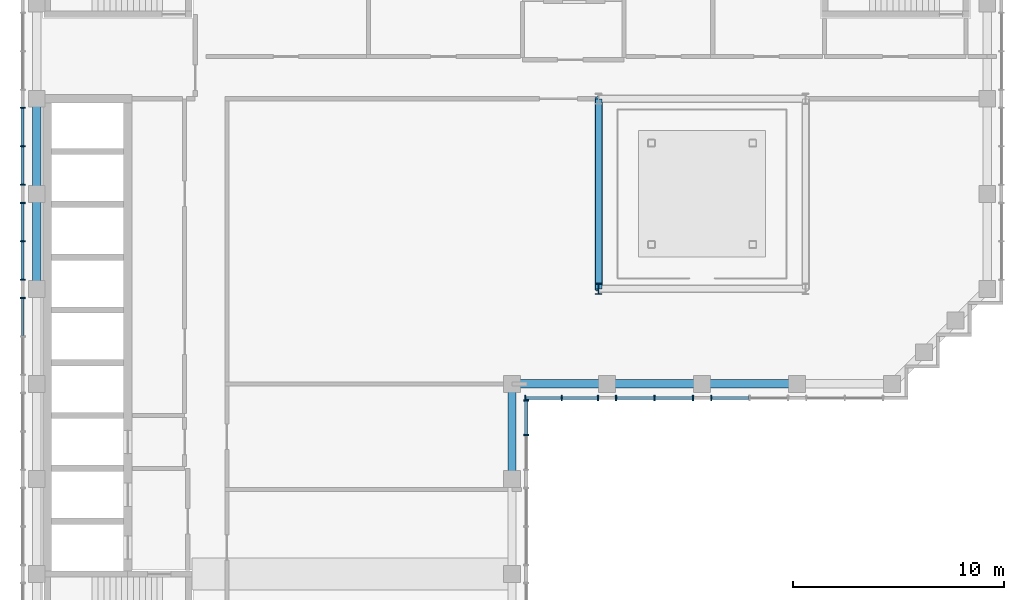
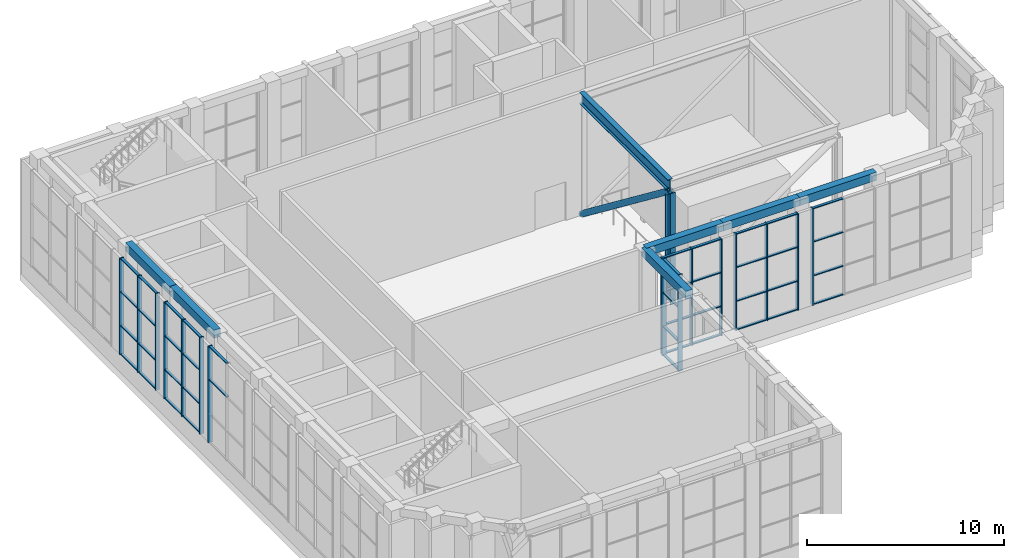
# One storey, part 4 of 17: 61 members, 6 beams, 7 elements without a shape of their own.
"""IFC4 building model written with IfcOpenShell, lengths in metres."""

from ifc_helpers import new_model, si_unit, direction, frame, origin, origin_2d, place, context, subcontext, project, spatial, rectangle, hollow_circle, i_section, extrude, material, material_profile, profile_set, type_object, element, aggregate, save


model = new_model("IFC4")

# Units and contexts
model_context = context("Model", 3, precision=1e-05, world=origin(), true_north=direction((0.0, 1.0)))
body_context = subcontext(model_context, "Body", "Model", "MODEL_VIEW")
ifc_project = project(units=[si_unit("LENGTHUNIT", "METRE"), si_unit("AREAUNIT", "SQUARE_METRE"), si_unit("VOLUMEUNIT", "CUBIC_METRE"), si_unit("PLANEANGLEUNIT", "RADIAN"), si_unit("MASSUNIT", "GRAM", prefix="KILO")], contexts=[model_context])

# Site, building, storey
site_placement = place(None, origin())
site = spatial("IfcSite", under=ifc_project, at=site_placement, CompositionType="ELEMENT")
building_placement = place(site_placement, origin())
building = spatial("IfcBuilding", under=site, at=building_placement, Name="Firuza Court", CompositionType="ELEMENT")
storey_placement = place(building_placement, frame((0.0, 0.0, 258.199951171875)))
storey = spatial("IfcBuildingStorey", under=building, at=storey_placement, Name="L67", CompositionType="ELEMENT", Elevation=258.199951171875)

# Members
ifc_material_1 = material(Name="Steel S355", Category="steel")
ifc_material_profile_1 = material_profile(ifc_material_1, i_section(OverallWidth=0.300048828125, OverallDepth=0.699951171875, WebThickness=0.01708984375, FlangeThickness=0.031982421875, FilletRadius=0.027099609375, at=origin_2d()), Name="HE 700 B")
ifc_profile_set_1 = profile_set([ifc_material_profile_1], Name="Steel S355")
member_type_1 = type_object("IfcMemberType", Name="Damper frame beam HE 700 B S355", PredefinedType="MEMBER", material=ifc_profile_set_1)
member_1_placement = place(storey_placement, frame((26.60009765625, 40.5, 7.25), z_axis=(0.0, 1.0, 0.0), x_axis=(-1.0, 0.0, 0.0)))
element("IfcMember", 1, at=member_1_placement, inside=storey, type_object=member_type_1, Name="Damper frame beam TB1 L67", PredefinedType="MEMBER", context=body_context, shape_type="SweptSolid", body=[
    extrude(i_section(OverallWidth=0.300048828125, OverallDepth=0.699951171875, WebThickness=0.01708984375, FlangeThickness=0.031982421875, FilletRadius=0.027099609375, at=origin_2d()), origin(), (0.0, 0.0, 1.0), 9.0),
])
ifc_material_2 = material(Name="Steel S355", Category="steel")
ifc_material_profile_2 = material_profile(ifc_material_2, hollow_circle(Radius=0.177734375, WallThickness=0.01611328125, at=origin_2d()), Name="CHS 355.6x16")
ifc_profile_set_2 = profile_set([ifc_material_profile_2], Name="Steel S355")
member_type_2 = type_object("IfcMemberType", Name="Damper frame brace CHS 355.6x16 S355", PredefinedType="BRACE", material=ifc_profile_set_2)
member_2_placement = place(storey_placement, frame((26.60009765625, 49.5, 0.0), z_axis=(0.0, -0.79360012437, 0.608439678686), x_axis=(1.0, 0.0, 0.0)))
element("IfcMember", 2, at=member_2_placement, inside=storey, type_object=member_type_2, Name="Damper frame brace TV1 L67", PredefinedType="BRACE", context=body_context, shape_type="SweptSolid", body=[
    extrude(hollow_circle(Radius=0.177734375, WallThickness=0.01611328125, at=origin_2d()), origin(), (0.0, 0.0, 1.0), 11.3408203125),
])
ifc_material_3 = material(Name="Steel S355", Category="steel")
ifc_material_profile_3 = material_profile(ifc_material_3, i_section(OverallWidth=0.305908203125, OverallDepth=0.52392578125, WebThickness=0.02099609375, FlangeThickness=0.0400390625, FilletRadius=0.027099609375, at=origin_2d()), Name="HE 500 M")
ifc_profile_set_3 = profile_set([ifc_material_profile_3], Name="Steel S355")
member_type_3 = type_object("IfcMemberType", Name="Damper frame column HE 500 M S355", PredefinedType="POST", material=ifc_profile_set_3)
member_3_placement = place(storey_placement, frame((26.60009765625, 40.5, 0.0), z_axis=(0.0, 0.0, 1.0), x_axis=(1.0, 0.0, 0.0)))
element("IfcMember", 3, at=member_3_placement, inside=storey, type_object=member_type_3, Name="Damper frame column TF1 L67", PredefinedType="POST", context=body_context, shape_type="SweptSolid", body=[
    extrude(i_section(OverallWidth=0.305908203125, OverallDepth=0.52392578125, WebThickness=0.02099609375, FlangeThickness=0.0400390625, FilletRadius=0.027099609375, at=origin_2d()), origin(), (0.0, 0.0, 1.0), 6.900146484375),
])

# Curtain wall, members
ifc_material_4 = material(Name="Aluminium curtain wall, triple clear glazing", Category="aluminium")
curtain_wall_type = type_object("IfcCurtainWallType", Name="Damper hall structural glazing CW4", PredefinedType="NOTDEFINED", material=ifc_material_4)
curtain_wall_1_placement = place(storey_placement, origin())
curtain_wall_1 = element("IfcCurtainWall", 4, at=curtain_wall_1_placement, inside=storey, type_object=curtain_wall_type, Name="Damper hall structural glazing CW4 L67", PredefinedType="NOTDEFINED")
ifc_material_5 = material(Name="Aluminium EN AW-6060 T66", Category="aluminium")
ifc_material_profile_4 = material_profile(ifc_material_5, rectangle(XDim=0.25, YDim=0.06005859375, at=origin_2d()), Name="Mullion 250 x 60 CW4")
ifc_profile_set_4 = profile_set([ifc_material_profile_4], Name="Aluminium EN AW-6060 T66")
member_type_4 = type_object("IfcMemberType", Name="Mullion 250 x 60 CW4", PredefinedType="MULLION", material=ifc_profile_set_4)
member_4_placement = place(storey_placement, frame((23.169921875, 33.574951171875, 1.10009765625), z_axis=(0.0, 0.0, 1.0), x_axis=(-1.0, 0.0, 0.0)))
member_4 = element("IfcMember", 5, at=member_4_placement, type_object=member_type_4, Name="CW4 mullion 2", PredefinedType="MULLION", context=body_context, shape_type="SweptSolid", body=[
    extrude(rectangle(XDim=0.25, YDim=0.06005859375, at=origin_2d()), origin(), (0.0, 0.0, 1.0), 6.0),
])
member_5_placement = place(storey_placement, frame((23.169921875, 35.219970703125, 1.10009765625), z_axis=(0.0, 0.0, 1.0), x_axis=(-1.0, 0.0, 0.0)))
member_5 = element("IfcMember", 6, at=member_5_placement, type_object=member_type_4, Name="CW4 mullion 3", PredefinedType="MULLION", context=body_context, shape_type="SweptSolid", body=[
    extrude(rectangle(XDim=0.25, YDim=0.06005859375, at=origin_2d()), origin(), (0.0, 0.0, 1.0), 6.0),
])

curtain_wall_2_placement = place(storey_placement, origin())
curtain_wall_2 = element("IfcCurtainWall", 7, at=curtain_wall_2_placement, inside=storey, type_object=curtain_wall_type, Name="Damper hall structural glazing CW4 L67", PredefinedType="NOTDEFINED")
member_6_placement = place(storey_placement, frame((23.1298828125, 35.330078125, 1.10009765625), z_axis=(0.0, 0.0, 1.0), x_axis=(0.0, 1.0, 0.0)))
member_6 = element("IfcMember", 8, at=member_6_placement, type_object=member_type_4, Name="CW4 mullion 1", PredefinedType="MULLION", context=body_context, shape_type="SweptSolid", body=[
    extrude(rectangle(XDim=0.25, YDim=0.06005859375, at=origin_2d()), origin(), (0.0, 0.0, 1.0), 6.0),
])
member_7_placement = place(storey_placement, frame((24.85009765625, 35.330078125, 1.10009765625), z_axis=(0.0, 0.0, 1.0), x_axis=(0.0, 1.0, 0.0)))
member_7 = element("IfcMember", 9, at=member_7_placement, type_object=member_type_4, Name="CW4 mullion 2", PredefinedType="MULLION", context=body_context, shape_type="SweptSolid", body=[
    extrude(rectangle(XDim=0.25, YDim=0.06005859375, at=origin_2d()), origin(), (0.0, 0.0, 1.0), 6.0),
])
member_8_placement = place(storey_placement, frame((26.570068359375, 35.330078125, 1.10009765625), z_axis=(0.0, 0.0, 1.0), x_axis=(0.0, 1.0, 0.0)))
member_8 = element("IfcMember", 10, at=member_8_placement, type_object=member_type_4, Name="CW4 mullion 3", PredefinedType="MULLION", context=body_context, shape_type="SweptSolid", body=[
    extrude(rectangle(XDim=0.25, YDim=0.06005859375, at=origin_2d()), origin(), (0.0, 0.0, 1.0), 6.0),
])

curtain_wall_3_placement = place(storey_placement, origin())
curtain_wall_3 = element("IfcCurtainWall", 11, at=curtain_wall_3_placement, inside=storey, type_object=curtain_wall_type, Name="Damper hall structural glazing CW4 L67", PredefinedType="NOTDEFINED")
member_9_placement = place(storey_placement, frame((27.429931640625, 35.330078125, 1.10009765625), z_axis=(0.0, 0.0, 1.0), x_axis=(0.0, 1.0, 0.0)))
member_9 = element("IfcMember", 12, at=member_9_placement, type_object=member_type_4, Name="CW4 mullion 1", PredefinedType="MULLION", context=body_context, shape_type="SweptSolid", body=[
    extrude(rectangle(XDim=0.25, YDim=0.06005859375, at=origin_2d()), origin(), (0.0, 0.0, 1.0), 6.0),
])
member_10_placement = place(storey_placement, frame((29.25, 35.330078125, 1.10009765625), z_axis=(0.0, 0.0, 1.0), x_axis=(0.0, 1.0, 0.0)))
member_10 = element("IfcMember", 13, at=member_10_placement, type_object=member_type_4, Name="CW4 mullion 2", PredefinedType="MULLION", context=body_context, shape_type="SweptSolid", body=[
    extrude(rectangle(XDim=0.25, YDim=0.06005859375, at=origin_2d()), origin(), (0.0, 0.0, 1.0), 6.0),
])
member_11_placement = place(storey_placement, frame((31.070068359375, 35.330078125, 1.10009765625), z_axis=(0.0, 0.0, 1.0), x_axis=(0.0, 1.0, 0.0)))
member_11 = element("IfcMember", 14, at=member_11_placement, type_object=member_type_4, Name="CW4 mullion 3", PredefinedType="MULLION", context=body_context, shape_type="SweptSolid", body=[
    extrude(rectangle(XDim=0.25, YDim=0.06005859375, at=origin_2d()), origin(), (0.0, 0.0, 1.0), 6.0),
])

# Curtain wall, member
curtain_wall_4_placement = place(storey_placement, origin())
curtain_wall_4 = element("IfcCurtainWall", 15, at=curtain_wall_4_placement, inside=storey, type_object=curtain_wall_type, Name="Damper hall structural glazing CW4 L67", PredefinedType="NOTDEFINED")
member_12_placement = place(storey_placement, frame((31.929931640625, 35.330078125, 1.10009765625), z_axis=(0.0, 0.0, 1.0), x_axis=(0.0, 1.0, 0.0)))
member_12 = element("IfcMember", 16, at=member_12_placement, type_object=member_type_4, Name="CW4 mullion 1", PredefinedType="MULLION", context=body_context, shape_type="SweptSolid", body=[
    extrude(rectangle(XDim=0.25, YDim=0.06005859375, at=origin_2d()), origin(), (0.0, 0.0, 1.0), 6.0),
])

# Curtain wall, members
curtain_wall_5_placement = place(storey_placement, origin())
curtain_wall_5 = element("IfcCurtainWall", 17, at=curtain_wall_5_placement, inside=storey, type_object=curtain_wall_type, Name="Damper hall structural glazing CW4 L67", PredefinedType="NOTDEFINED")
member_13_placement = place(storey_placement, frame((-0.669921875, 49.070068359375, 1.10009765625), z_axis=(0.0, 0.0, 1.0), x_axis=(1.0, 0.0, 0.0)))
member_13 = element("IfcMember", 18, at=member_13_placement, type_object=member_type_4, Name="CW4 mullion 1", PredefinedType="MULLION", context=body_context, shape_type="SweptSolid", body=[
    extrude(rectangle(XDim=0.25, YDim=0.06005859375, at=origin_2d()), origin(), (0.0, 0.0, 1.0), 6.0),
])
member_14_placement = place(storey_placement, frame((-0.669921875, 47.25, 1.10009765625), z_axis=(0.0, 0.0, 1.0), x_axis=(1.0, 0.0, 0.0)))
member_14 = element("IfcMember", 19, at=member_14_placement, type_object=member_type_4, Name="CW4 mullion 2", PredefinedType="MULLION", context=body_context, shape_type="SweptSolid", body=[
    extrude(rectangle(XDim=0.25, YDim=0.06005859375, at=origin_2d()), origin(), (0.0, 0.0, 1.0), 6.0),
])
member_15_placement = place(storey_placement, frame((-0.669921875, 45.429931640625, 1.10009765625), z_axis=(0.0, 0.0, 1.0), x_axis=(1.0, 0.0, 0.0)))
member_15 = element("IfcMember", 20, at=member_15_placement, type_object=member_type_4, Name="CW4 mullion 3", PredefinedType="MULLION", context=body_context, shape_type="SweptSolid", body=[
    extrude(rectangle(XDim=0.25, YDim=0.06005859375, at=origin_2d()), origin(), (0.0, 0.0, 1.0), 6.0),
])

curtain_wall_6_placement = place(storey_placement, origin())
curtain_wall_6 = element("IfcCurtainWall", 21, at=curtain_wall_6_placement, inside=storey, type_object=curtain_wall_type, Name="Damper hall structural glazing CW4 L67", PredefinedType="NOTDEFINED")
member_16_placement = place(storey_placement, frame((-0.669921875, 44.570068359375, 1.10009765625), z_axis=(0.0, 0.0, 1.0), x_axis=(1.0, 0.0, 0.0)))
member_16 = element("IfcMember", 22, at=member_16_placement, type_object=member_type_4, Name="CW4 mullion 1", PredefinedType="MULLION", context=body_context, shape_type="SweptSolid", body=[
    extrude(rectangle(XDim=0.25, YDim=0.06005859375, at=origin_2d()), origin(), (0.0, 0.0, 1.0), 6.0),
])
member_17_placement = place(storey_placement, frame((-0.669921875, 42.75, 1.10009765625), z_axis=(0.0, 0.0, 1.0), x_axis=(1.0, 0.0, 0.0)))
member_17 = element("IfcMember", 23, at=member_17_placement, type_object=member_type_4, Name="CW4 mullion 2", PredefinedType="MULLION", context=body_context, shape_type="SweptSolid", body=[
    extrude(rectangle(XDim=0.25, YDim=0.06005859375, at=origin_2d()), origin(), (0.0, 0.0, 1.0), 6.0),
])
member_18_placement = place(storey_placement, frame((-0.669921875, 40.929931640625, 1.10009765625), z_axis=(0.0, 0.0, 1.0), x_axis=(1.0, 0.0, 0.0)))
member_18 = element("IfcMember", 24, at=member_18_placement, type_object=member_type_4, Name="CW4 mullion 3", PredefinedType="MULLION", context=body_context, shape_type="SweptSolid", body=[
    extrude(rectangle(XDim=0.25, YDim=0.06005859375, at=origin_2d()), origin(), (0.0, 0.0, 1.0), 6.0),
])

# Curtain wall, member
curtain_wall_7_placement = place(storey_placement, origin())
curtain_wall_7 = element("IfcCurtainWall", 25, at=curtain_wall_7_placement, inside=storey, type_object=curtain_wall_type, Name="Damper hall structural glazing CW4 L67", PredefinedType="NOTDEFINED")
member_19_placement = place(storey_placement, frame((-0.669921875, 40.070068359375, 1.10009765625), z_axis=(0.0, 0.0, 1.0), x_axis=(1.0, 0.0, 0.0)))
member_19 = element("IfcMember", 26, at=member_19_placement, type_object=member_type_4, Name="CW4 mullion 1", PredefinedType="MULLION", context=body_context, shape_type="SweptSolid", body=[
    extrude(rectangle(XDim=0.25, YDim=0.06005859375, at=origin_2d()), origin(), (0.0, 0.0, 1.0), 6.0),
])

# Beams
ifc_material_6 = material(Name="Concrete C40/50", Category="concrete")
ifc_material_profile_5 = material_profile(ifc_material_6, rectangle(XDim=0.39990234375, YDim=0.5, at=origin_2d()), Name="RC 400x500")
ifc_profile_set_5 = profile_set([ifc_material_profile_5], Name="Concrete C40/50")
beam_type = type_object("IfcBeamType", Name="Spandrel beam RC 400x500 C40/50", PredefinedType="BEAM", material=ifc_profile_set_5)
for number, where, z_axis, x_axis, name in (
    (27, (0.0, 45.0, 7.35009765625), (0.0, -1.0, 0.0), (1.0, 0.0, 0.0), "Spandrel beam SP18 level L68"),
    (28, (0.0, 49.5, 7.35009765625), (0.0, -1.0, 0.0), (1.0, 0.0, 0.0), "Spandrel beam SP18 level L68"),
    (29, (22.5, 31.5, 7.35009765625), (0.0, 1.0, 0.0), (-1.0, 0.0, 0.0), "Spandrel beam SP18 level L68"),
    (30, (22.5, 36.0, 7.35009765625), (1.0, 0.0, 0.0), (0.0, 1.0, 0.0), "Spandrel beam SP18 level L68"),
    (31, (27.0, 36.0, 7.35009765625), (1.0, 0.0, 0.0), (0.0, 1.0, 0.0), "Spandrel beam SP18 level L68"),
    (32, (31.5, 36.0, 7.35009765625), (1.0, 0.0, 0.0), (0.0, 1.0, 0.0), "Spandrel beam SP18 level L68"),
):
    element("IfcBeam", number, at=place(storey_placement, frame(where, z_axis=z_axis, x_axis=x_axis)), inside=storey, type_object=beam_type, Name=name, PredefinedType="BEAM", context=body_context, shape_type="SweptSolid", body=[
        extrude(rectangle(XDim=0.39990234375, YDim=0.5, at=origin_2d()), origin(), (0.0, 0.0, 1.0), 4.5),
    ])

# Member
ifc_material_7 = material(Name="Aluminium EN AW-6060 T66", Category="aluminium")
ifc_material_profile_6 = material_profile(ifc_material_7, rectangle(XDim=0.14990234375, YDim=0.06005859375, at=origin_2d()), Name="Transom 150 x 60 CW4")
ifc_profile_set_6 = profile_set([ifc_material_profile_6], Name="Aluminium EN AW-6060 T66")
member_type_5 = type_object("IfcMemberType", Name="Transom 150 x 60 CW4", PredefinedType="USERDEFINED", material=ifc_profile_set_6)
member_20_placement = place(storey_placement, frame((23.169921875, 33.60498046875, 1.130126953125), z_axis=(0.0, 1.0, 0.0), x_axis=(-1.0, 0.0, 0.0)))
member_20 = element("IfcMember", 33, at=member_20_placement, type_object=member_type_5, Name="CW4 transom 2.1", ObjectType="TRANSOM", PredefinedType="USERDEFINED", context=body_context, shape_type="SweptSolid", body=[
    extrude(rectangle(XDim=0.14990234375, YDim=0.06005859375, at=origin_2d()), origin(), (0.0, 0.0, 1.0), 1.5849609375),
])

member_21_placement = place(storey_placement, frame((23.169921875, 33.60498046875, 2.900146484375), z_axis=(0.0, 1.0, 0.0), x_axis=(-1.0, 0.0, 0.0)))
member_21 = element("IfcMember", 34, at=member_21_placement, type_object=member_type_5, Name="CW4 transom 2.2", ObjectType="TRANSOM", PredefinedType="USERDEFINED", context=body_context, shape_type="SweptSolid", body=[
    extrude(rectangle(XDim=0.14990234375, YDim=0.06005859375, at=origin_2d()), origin(), (0.0, 0.0, 1.0), 1.5849609375),
])

member_22_placement = place(storey_placement, frame((23.169921875, 33.60498046875, 5.0), z_axis=(0.0, 1.0, 0.0), x_axis=(-1.0, 0.0, 0.0)))
member_22 = element("IfcMember", 35, at=member_22_placement, type_object=member_type_5, Name="CW4 transom 2.3", ObjectType="TRANSOM", PredefinedType="USERDEFINED", context=body_context, shape_type="SweptSolid", body=[
    extrude(rectangle(XDim=0.14990234375, YDim=0.06005859375, at=origin_2d()), origin(), (0.0, 0.0, 1.0), 1.5849609375),
])

member_23_placement = place(storey_placement, frame((23.169921875, 33.60498046875, 7.070068359375), z_axis=(0.0, 1.0, 0.0), x_axis=(-1.0, 0.0, 0.0)))
member_23 = element("IfcMember", 36, at=member_23_placement, type_object=member_type_5, Name="CW4 transom 2.4", ObjectType="TRANSOM", PredefinedType="USERDEFINED", context=body_context, shape_type="SweptSolid", body=[
    extrude(rectangle(XDim=0.14990234375, YDim=0.06005859375, at=origin_2d()), origin(), (0.0, 0.0, 1.0), 1.5849609375),
])

aggregate(curtain_wall_1, [member_4, member_5, member_20, member_21, member_22, member_23])

member_24_placement = place(storey_placement, frame((23.159912109375, 35.330078125, 1.130126953125), z_axis=(1.0, 0.0, 0.0), x_axis=(0.0, 1.0, 0.0)))
member_24 = element("IfcMember", 37, at=member_24_placement, type_object=member_type_5, Name="CW4 transom 1.1", ObjectType="TRANSOM", PredefinedType="USERDEFINED", context=body_context, shape_type="SweptSolid", body=[
    extrude(rectangle(XDim=0.14990234375, YDim=0.06005859375, at=origin_2d()), origin(), (0.0, 0.0, 1.0), 1.66015625),
])

member_25_placement = place(storey_placement, frame((23.159912109375, 35.330078125, 2.900146484375), z_axis=(1.0, 0.0, 0.0), x_axis=(0.0, 1.0, 0.0)))
member_25 = element("IfcMember", 38, at=member_25_placement, type_object=member_type_5, Name="CW4 transom 1.2", ObjectType="TRANSOM", PredefinedType="USERDEFINED", context=body_context, shape_type="SweptSolid", body=[
    extrude(rectangle(XDim=0.14990234375, YDim=0.06005859375, at=origin_2d()), origin(), (0.0, 0.0, 1.0), 1.66015625),
])

member_26_placement = place(storey_placement, frame((23.159912109375, 35.330078125, 5.0), z_axis=(1.0, 0.0, 0.0), x_axis=(0.0, 1.0, 0.0)))
member_26 = element("IfcMember", 39, at=member_26_placement, type_object=member_type_5, Name="CW4 transom 1.3", ObjectType="TRANSOM", PredefinedType="USERDEFINED", context=body_context, shape_type="SweptSolid", body=[
    extrude(rectangle(XDim=0.14990234375, YDim=0.06005859375, at=origin_2d()), origin(), (0.0, 0.0, 1.0), 1.66015625),
])

member_27_placement = place(storey_placement, frame((23.159912109375, 35.330078125, 7.070068359375), z_axis=(1.0, 0.0, 0.0), x_axis=(0.0, 1.0, 0.0)))
member_27 = element("IfcMember", 40, at=member_27_placement, type_object=member_type_5, Name="CW4 transom 1.4", ObjectType="TRANSOM", PredefinedType="USERDEFINED", context=body_context, shape_type="SweptSolid", body=[
    extrude(rectangle(XDim=0.14990234375, YDim=0.06005859375, at=origin_2d()), origin(), (0.0, 0.0, 1.0), 1.66015625),
])

member_28_placement = place(storey_placement, frame((24.8798828125, 35.330078125, 1.130126953125), z_axis=(1.0, 0.0, 0.0), x_axis=(0.0, 1.0, 0.0)))
member_28 = element("IfcMember", 41, at=member_28_placement, type_object=member_type_5, Name="CW4 transom 2.1", ObjectType="TRANSOM", PredefinedType="USERDEFINED", context=body_context, shape_type="SweptSolid", body=[
    extrude(rectangle(XDim=0.14990234375, YDim=0.06005859375, at=origin_2d()), origin(), (0.0, 0.0, 1.0), 1.66015625),
])

member_29_placement = place(storey_placement, frame((24.8798828125, 35.330078125, 2.900146484375), z_axis=(1.0, 0.0, 0.0), x_axis=(0.0, 1.0, 0.0)))
member_29 = element("IfcMember", 42, at=member_29_placement, type_object=member_type_5, Name="CW4 transom 2.2", ObjectType="TRANSOM", PredefinedType="USERDEFINED", context=body_context, shape_type="SweptSolid", body=[
    extrude(rectangle(XDim=0.14990234375, YDim=0.06005859375, at=origin_2d()), origin(), (0.0, 0.0, 1.0), 1.66015625),
])

member_30_placement = place(storey_placement, frame((24.8798828125, 35.330078125, 5.0), z_axis=(1.0, 0.0, 0.0), x_axis=(0.0, 1.0, 0.0)))
member_30 = element("IfcMember", 43, at=member_30_placement, type_object=member_type_5, Name="CW4 transom 2.3", ObjectType="TRANSOM", PredefinedType="USERDEFINED", context=body_context, shape_type="SweptSolid", body=[
    extrude(rectangle(XDim=0.14990234375, YDim=0.06005859375, at=origin_2d()), origin(), (0.0, 0.0, 1.0), 1.66015625),
])

member_31_placement = place(storey_placement, frame((24.8798828125, 35.330078125, 7.070068359375), z_axis=(1.0, 0.0, 0.0), x_axis=(0.0, 1.0, 0.0)))
member_31 = element("IfcMember", 44, at=member_31_placement, type_object=member_type_5, Name="CW4 transom 2.4", ObjectType="TRANSOM", PredefinedType="USERDEFINED", context=body_context, shape_type="SweptSolid", body=[
    extrude(rectangle(XDim=0.14990234375, YDim=0.06005859375, at=origin_2d()), origin(), (0.0, 0.0, 1.0), 1.66015625),
])

aggregate(curtain_wall_2, [member_6, member_7, member_8, member_24, member_25, member_26, member_27, member_28, member_29, member_30, member_31])

member_32_placement = place(storey_placement, frame((27.4599609375, 35.330078125, 1.130126953125), z_axis=(1.0, 0.0, 0.0), x_axis=(0.0, 1.0, 0.0)))
member_32 = element("IfcMember", 45, at=member_32_placement, type_object=member_type_5, Name="CW4 transom 1.1", ObjectType="TRANSOM", PredefinedType="USERDEFINED", context=body_context, shape_type="SweptSolid", body=[
    extrude(rectangle(XDim=0.14990234375, YDim=0.06005859375, at=origin_2d()), origin(), (0.0, 0.0, 1.0), 1.760009765625),
])

member_33_placement = place(storey_placement, frame((27.4599609375, 35.330078125, 2.900146484375), z_axis=(1.0, 0.0, 0.0), x_axis=(0.0, 1.0, 0.0)))
member_33 = element("IfcMember", 46, at=member_33_placement, type_object=member_type_5, Name="CW4 transom 1.2", ObjectType="TRANSOM", PredefinedType="USERDEFINED", context=body_context, shape_type="SweptSolid", body=[
    extrude(rectangle(XDim=0.14990234375, YDim=0.06005859375, at=origin_2d()), origin(), (0.0, 0.0, 1.0), 1.760009765625),
])

member_34_placement = place(storey_placement, frame((27.4599609375, 35.330078125, 5.0), z_axis=(1.0, 0.0, 0.0), x_axis=(0.0, 1.0, 0.0)))
member_34 = element("IfcMember", 47, at=member_34_placement, type_object=member_type_5, Name="CW4 transom 1.3", ObjectType="TRANSOM", PredefinedType="USERDEFINED", context=body_context, shape_type="SweptSolid", body=[
    extrude(rectangle(XDim=0.14990234375, YDim=0.06005859375, at=origin_2d()), origin(), (0.0, 0.0, 1.0), 1.760009765625),
])

member_35_placement = place(storey_placement, frame((27.4599609375, 35.330078125, 7.070068359375), z_axis=(1.0, 0.0, 0.0), x_axis=(0.0, 1.0, 0.0)))
member_35 = element("IfcMember", 48, at=member_35_placement, type_object=member_type_5, Name="CW4 transom 1.4", ObjectType="TRANSOM", PredefinedType="USERDEFINED", context=body_context, shape_type="SweptSolid", body=[
    extrude(rectangle(XDim=0.14990234375, YDim=0.06005859375, at=origin_2d()), origin(), (0.0, 0.0, 1.0), 1.760009765625),
])

member_36_placement = place(storey_placement, frame((29.280029296875, 35.330078125, 1.130126953125), z_axis=(1.0, 0.0, 0.0), x_axis=(0.0, 1.0, 0.0)))
member_36 = element("IfcMember", 49, at=member_36_placement, type_object=member_type_5, Name="CW4 transom 2.1", ObjectType="TRANSOM", PredefinedType="USERDEFINED", context=body_context, shape_type="SweptSolid", body=[
    extrude(rectangle(XDim=0.14990234375, YDim=0.06005859375, at=origin_2d()), origin(), (0.0, 0.0, 1.0), 1.760009765625),
])

member_37_placement = place(storey_placement, frame((29.280029296875, 35.330078125, 2.900146484375), z_axis=(1.0, 0.0, 0.0), x_axis=(0.0, 1.0, 0.0)))
member_37 = element("IfcMember", 50, at=member_37_placement, type_object=member_type_5, Name="CW4 transom 2.2", ObjectType="TRANSOM", PredefinedType="USERDEFINED", context=body_context, shape_type="SweptSolid", body=[
    extrude(rectangle(XDim=0.14990234375, YDim=0.06005859375, at=origin_2d()), origin(), (0.0, 0.0, 1.0), 1.760009765625),
])

member_38_placement = place(storey_placement, frame((29.280029296875, 35.330078125, 5.0), z_axis=(1.0, 0.0, 0.0), x_axis=(0.0, 1.0, 0.0)))
member_38 = element("IfcMember", 51, at=member_38_placement, type_object=member_type_5, Name="CW4 transom 2.3", ObjectType="TRANSOM", PredefinedType="USERDEFINED", context=body_context, shape_type="SweptSolid", body=[
    extrude(rectangle(XDim=0.14990234375, YDim=0.06005859375, at=origin_2d()), origin(), (0.0, 0.0, 1.0), 1.760009765625),
])

member_39_placement = place(storey_placement, frame((29.280029296875, 35.330078125, 7.070068359375), z_axis=(1.0, 0.0, 0.0), x_axis=(0.0, 1.0, 0.0)))
member_39 = element("IfcMember", 52, at=member_39_placement, type_object=member_type_5, Name="CW4 transom 2.4", ObjectType="TRANSOM", PredefinedType="USERDEFINED", context=body_context, shape_type="SweptSolid", body=[
    extrude(rectangle(XDim=0.14990234375, YDim=0.06005859375, at=origin_2d()), origin(), (0.0, 0.0, 1.0), 1.760009765625),
])

aggregate(curtain_wall_3, [member_9, member_10, member_11, member_32, member_33, member_34, member_35, member_36, member_37, member_38, member_39])

member_40_placement = place(storey_placement, frame((31.9599609375, 35.330078125, 1.130126953125), z_axis=(1.0, 0.0, 0.0), x_axis=(0.0, 1.0, 0.0)))
member_40 = element("IfcMember", 53, at=member_40_placement, type_object=member_type_5, Name="CW4 transom 1.1", ObjectType="TRANSOM", PredefinedType="USERDEFINED", context=body_context, shape_type="SweptSolid", body=[
    extrude(rectangle(XDim=0.14990234375, YDim=0.06005859375, at=origin_2d()), origin(), (0.0, 0.0, 1.0), 1.760009765625),
])

member_41_placement = place(storey_placement, frame((31.9599609375, 35.330078125, 2.900146484375), z_axis=(1.0, 0.0, 0.0), x_axis=(0.0, 1.0, 0.0)))
member_41 = element("IfcMember", 54, at=member_41_placement, type_object=member_type_5, Name="CW4 transom 1.2", ObjectType="TRANSOM", PredefinedType="USERDEFINED", context=body_context, shape_type="SweptSolid", body=[
    extrude(rectangle(XDim=0.14990234375, YDim=0.06005859375, at=origin_2d()), origin(), (0.0, 0.0, 1.0), 1.760009765625),
])

member_42_placement = place(storey_placement, frame((31.9599609375, 35.330078125, 5.0), z_axis=(1.0, 0.0, 0.0), x_axis=(0.0, 1.0, 0.0)))
member_42 = element("IfcMember", 55, at=member_42_placement, type_object=member_type_5, Name="CW4 transom 1.3", ObjectType="TRANSOM", PredefinedType="USERDEFINED", context=body_context, shape_type="SweptSolid", body=[
    extrude(rectangle(XDim=0.14990234375, YDim=0.06005859375, at=origin_2d()), origin(), (0.0, 0.0, 1.0), 1.760009765625),
])

member_43_placement = place(storey_placement, frame((31.9599609375, 35.330078125, 7.070068359375), z_axis=(1.0, 0.0, 0.0), x_axis=(0.0, 1.0, 0.0)))
member_43 = element("IfcMember", 56, at=member_43_placement, type_object=member_type_5, Name="CW4 transom 1.4", ObjectType="TRANSOM", PredefinedType="USERDEFINED", context=body_context, shape_type="SweptSolid", body=[
    extrude(rectangle(XDim=0.14990234375, YDim=0.06005859375, at=origin_2d()), origin(), (0.0, 0.0, 1.0), 1.760009765625),
])

aggregate(curtain_wall_4, [member_12, member_40, member_41, member_42, member_43])

member_44_placement = place(storey_placement, frame((-0.669921875, 49.0400390625, 1.130126953125), z_axis=(0.0, -1.0, 0.0), x_axis=(1.0, 0.0, 0.0)))
member_44 = element("IfcMember", 57, at=member_44_placement, type_object=member_type_5, Name="CW4 transom 1.1", ObjectType="TRANSOM", PredefinedType="USERDEFINED", context=body_context, shape_type="SweptSolid", body=[
    extrude(rectangle(XDim=0.14990234375, YDim=0.06005859375, at=origin_2d()), origin(), (0.0, 0.0, 1.0), 1.760009765625),
])

member_45_placement = place(storey_placement, frame((-0.669921875, 49.0400390625, 2.900146484375), z_axis=(0.0, -1.0, 0.0), x_axis=(1.0, 0.0, 0.0)))
member_45 = element("IfcMember", 58, at=member_45_placement, type_object=member_type_5, Name="CW4 transom 1.2", ObjectType="TRANSOM", PredefinedType="USERDEFINED", context=body_context, shape_type="SweptSolid", body=[
    extrude(rectangle(XDim=0.14990234375, YDim=0.06005859375, at=origin_2d()), origin(), (0.0, 0.0, 1.0), 1.760009765625),
])

member_46_placement = place(storey_placement, frame((-0.669921875, 49.0400390625, 5.0), z_axis=(0.0, -1.0, 0.0), x_axis=(1.0, 0.0, 0.0)))
member_46 = element("IfcMember", 59, at=member_46_placement, type_object=member_type_5, Name="CW4 transom 1.3", ObjectType="TRANSOM", PredefinedType="USERDEFINED", context=body_context, shape_type="SweptSolid", body=[
    extrude(rectangle(XDim=0.14990234375, YDim=0.06005859375, at=origin_2d()), origin(), (0.0, 0.0, 1.0), 1.760009765625),
])

member_47_placement = place(storey_placement, frame((-0.669921875, 49.0400390625, 7.070068359375), z_axis=(0.0, -1.0, 0.0), x_axis=(1.0, 0.0, 0.0)))
member_47 = element("IfcMember", 60, at=member_47_placement, type_object=member_type_5, Name="CW4 transom 1.4", ObjectType="TRANSOM", PredefinedType="USERDEFINED", context=body_context, shape_type="SweptSolid", body=[
    extrude(rectangle(XDim=0.14990234375, YDim=0.06005859375, at=origin_2d()), origin(), (0.0, 0.0, 1.0), 1.760009765625),
])

member_48_placement = place(storey_placement, frame((-0.669921875, 47.219970703125, 1.130126953125), z_axis=(0.0, -1.0, 0.0), x_axis=(1.0, 0.0, 0.0)))
member_48 = element("IfcMember", 61, at=member_48_placement, type_object=member_type_5, Name="CW4 transom 2.1", ObjectType="TRANSOM", PredefinedType="USERDEFINED", context=body_context, shape_type="SweptSolid", body=[
    extrude(rectangle(XDim=0.14990234375, YDim=0.06005859375, at=origin_2d()), origin(), (0.0, 0.0, 1.0), 1.760009765625),
])

member_49_placement = place(storey_placement, frame((-0.669921875, 47.219970703125, 2.900146484375), z_axis=(0.0, -1.0, 0.0), x_axis=(1.0, 0.0, 0.0)))
member_49 = element("IfcMember", 62, at=member_49_placement, type_object=member_type_5, Name="CW4 transom 2.2", ObjectType="TRANSOM", PredefinedType="USERDEFINED", context=body_context, shape_type="SweptSolid", body=[
    extrude(rectangle(XDim=0.14990234375, YDim=0.06005859375, at=origin_2d()), origin(), (0.0, 0.0, 1.0), 1.760009765625),
])

member_50_placement = place(storey_placement, frame((-0.669921875, 47.219970703125, 5.0), z_axis=(0.0, -1.0, 0.0), x_axis=(1.0, 0.0, 0.0)))
member_50 = element("IfcMember", 63, at=member_50_placement, type_object=member_type_5, Name="CW4 transom 2.3", ObjectType="TRANSOM", PredefinedType="USERDEFINED", context=body_context, shape_type="SweptSolid", body=[
    extrude(rectangle(XDim=0.14990234375, YDim=0.06005859375, at=origin_2d()), origin(), (0.0, 0.0, 1.0), 1.760009765625),
])

member_51_placement = place(storey_placement, frame((-0.669921875, 47.219970703125, 7.070068359375), z_axis=(0.0, -1.0, 0.0), x_axis=(1.0, 0.0, 0.0)))
member_51 = element("IfcMember", 64, at=member_51_placement, type_object=member_type_5, Name="CW4 transom 2.4", ObjectType="TRANSOM", PredefinedType="USERDEFINED", context=body_context, shape_type="SweptSolid", body=[
    extrude(rectangle(XDim=0.14990234375, YDim=0.06005859375, at=origin_2d()), origin(), (0.0, 0.0, 1.0), 1.760009765625),
])

aggregate(curtain_wall_5, [member_13, member_14, member_15, member_44, member_45, member_46, member_47, member_48, member_49, member_50, member_51])

member_52_placement = place(storey_placement, frame((-0.669921875, 44.5400390625, 1.130126953125), z_axis=(0.0, -1.0, 0.0), x_axis=(1.0, 0.0, 0.0)))
member_52 = element("IfcMember", 65, at=member_52_placement, type_object=member_type_5, Name="CW4 transom 1.1", ObjectType="TRANSOM", PredefinedType="USERDEFINED", context=body_context, shape_type="SweptSolid", body=[
    extrude(rectangle(XDim=0.14990234375, YDim=0.06005859375, at=origin_2d()), origin(), (0.0, 0.0, 1.0), 1.760009765625),
])

member_53_placement = place(storey_placement, frame((-0.669921875, 44.5400390625, 2.900146484375), z_axis=(0.0, -1.0, 0.0), x_axis=(1.0, 0.0, 0.0)))
member_53 = element("IfcMember", 66, at=member_53_placement, type_object=member_type_5, Name="CW4 transom 1.2", ObjectType="TRANSOM", PredefinedType="USERDEFINED", context=body_context, shape_type="SweptSolid", body=[
    extrude(rectangle(XDim=0.14990234375, YDim=0.06005859375, at=origin_2d()), origin(), (0.0, 0.0, 1.0), 1.760009765625),
])

member_54_placement = place(storey_placement, frame((-0.669921875, 44.5400390625, 5.0), z_axis=(0.0, -1.0, 0.0), x_axis=(1.0, 0.0, 0.0)))
member_54 = element("IfcMember", 67, at=member_54_placement, type_object=member_type_5, Name="CW4 transom 1.3", ObjectType="TRANSOM", PredefinedType="USERDEFINED", context=body_context, shape_type="SweptSolid", body=[
    extrude(rectangle(XDim=0.14990234375, YDim=0.06005859375, at=origin_2d()), origin(), (0.0, 0.0, 1.0), 1.760009765625),
])

member_55_placement = place(storey_placement, frame((-0.669921875, 44.5400390625, 7.070068359375), z_axis=(0.0, -1.0, 0.0), x_axis=(1.0, 0.0, 0.0)))
member_55 = element("IfcMember", 68, at=member_55_placement, type_object=member_type_5, Name="CW4 transom 1.4", ObjectType="TRANSOM", PredefinedType="USERDEFINED", context=body_context, shape_type="SweptSolid", body=[
    extrude(rectangle(XDim=0.14990234375, YDim=0.06005859375, at=origin_2d()), origin(), (0.0, 0.0, 1.0), 1.760009765625),
])

member_56_placement = place(storey_placement, frame((-0.669921875, 42.719970703125, 1.130126953125), z_axis=(0.0, -1.0, 0.0), x_axis=(1.0, 0.0, 0.0)))
member_56 = element("IfcMember", 69, at=member_56_placement, type_object=member_type_5, Name="CW4 transom 2.1", ObjectType="TRANSOM", PredefinedType="USERDEFINED", context=body_context, shape_type="SweptSolid", body=[
    extrude(rectangle(XDim=0.14990234375, YDim=0.06005859375, at=origin_2d()), origin(), (0.0, 0.0, 1.0), 1.760009765625),
])

member_57_placement = place(storey_placement, frame((-0.669921875, 42.719970703125, 2.900146484375), z_axis=(0.0, -1.0, 0.0), x_axis=(1.0, 0.0, 0.0)))
member_57 = element("IfcMember", 70, at=member_57_placement, type_object=member_type_5, Name="CW4 transom 2.2", ObjectType="TRANSOM", PredefinedType="USERDEFINED", context=body_context, shape_type="SweptSolid", body=[
    extrude(rectangle(XDim=0.14990234375, YDim=0.06005859375, at=origin_2d()), origin(), (0.0, 0.0, 1.0), 1.760009765625),
])

member_58_placement = place(storey_placement, frame((-0.669921875, 42.719970703125, 5.0), z_axis=(0.0, -1.0, 0.0), x_axis=(1.0, 0.0, 0.0)))
member_58 = element("IfcMember", 71, at=member_58_placement, type_object=member_type_5, Name="CW4 transom 2.3", ObjectType="TRANSOM", PredefinedType="USERDEFINED", context=body_context, shape_type="SweptSolid", body=[
    extrude(rectangle(XDim=0.14990234375, YDim=0.06005859375, at=origin_2d()), origin(), (0.0, 0.0, 1.0), 1.760009765625),
])

member_59_placement = place(storey_placement, frame((-0.669921875, 42.719970703125, 7.070068359375), z_axis=(0.0, -1.0, 0.0), x_axis=(1.0, 0.0, 0.0)))
member_59 = element("IfcMember", 72, at=member_59_placement, type_object=member_type_5, Name="CW4 transom 2.4", ObjectType="TRANSOM", PredefinedType="USERDEFINED", context=body_context, shape_type="SweptSolid", body=[
    extrude(rectangle(XDim=0.14990234375, YDim=0.06005859375, at=origin_2d()), origin(), (0.0, 0.0, 1.0), 1.760009765625),
])

aggregate(curtain_wall_6, [member_16, member_17, member_18, member_52, member_53, member_54, member_55, member_56, member_57, member_58, member_59])

member_60_placement = place(storey_placement, frame((-0.669921875, 40.0400390625, 5.0), z_axis=(0.0, -1.0, 0.0), x_axis=(1.0, 0.0, 0.0)))
member_60 = element("IfcMember", 73, at=member_60_placement, type_object=member_type_5, Name="CW4 transom 1.3", ObjectType="TRANSOM", PredefinedType="USERDEFINED", context=body_context, shape_type="SweptSolid", body=[
    extrude(rectangle(XDim=0.14990234375, YDim=0.06005859375, at=origin_2d()), origin(), (0.0, 0.0, 1.0), 1.760009765625),
])

member_61_placement = place(storey_placement, frame((-0.669921875, 40.0400390625, 7.070068359375), z_axis=(0.0, -1.0, 0.0), x_axis=(1.0, 0.0, 0.0)))
member_61 = element("IfcMember", 74, at=member_61_placement, type_object=member_type_5, Name="CW4 transom 1.4", ObjectType="TRANSOM", PredefinedType="USERDEFINED", context=body_context, shape_type="SweptSolid", body=[
    extrude(rectangle(XDim=0.14990234375, YDim=0.06005859375, at=origin_2d()), origin(), (0.0, 0.0, 1.0), 1.760009765625),
])

aggregate(curtain_wall_7, [member_19, member_60, member_61])

save(model, "model.ifc")
